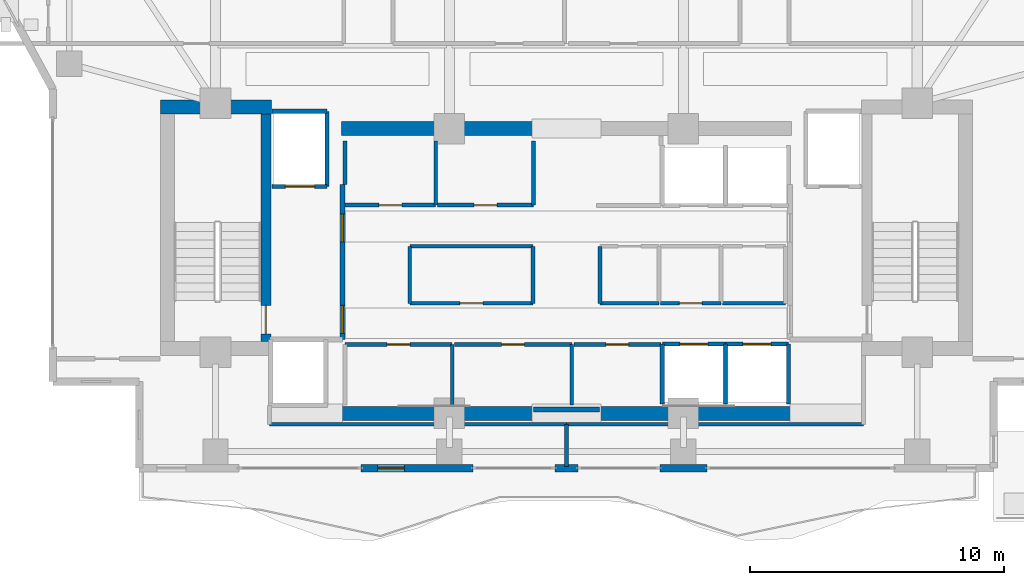
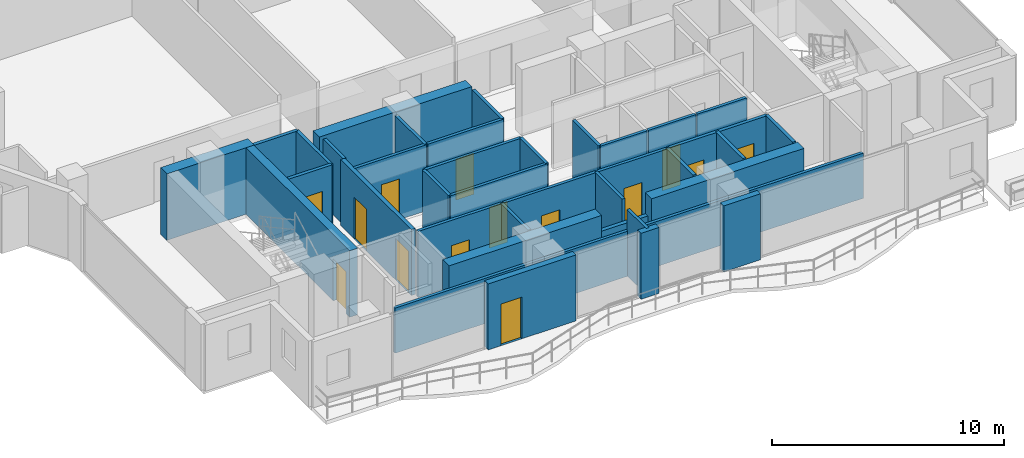
# One storey, part 19 of 26: 39 walls, 14 doors, 14 openings.
"""IFC4 building model written with IfcOpenShell, lengths in metres."""

from ifc_helpers import new_model, si_unit, direction, frame, frame_2d, origin, place, context, subcontext, project, spatial, rectangle, extrude, material, layer, layer_set, type_object, element, fill, save


model = new_model("IFC4")

# Units and contexts
model_context = context("Model", 3, precision=1e-05, world=origin(), true_north=direction((0.0, 1.0)))
body_context = subcontext(model_context, "Body", "Model", "MODEL_VIEW")
ifc_project = project(units=[si_unit("LENGTHUNIT", "METRE"), si_unit("AREAUNIT", "SQUARE_METRE"), si_unit("VOLUMEUNIT", "CUBIC_METRE"), si_unit("PLANEANGLEUNIT", "RADIAN"), si_unit("MASSUNIT", "GRAM", prefix="KILO")], contexts=[model_context])

# Site, building, storey
site_placement = place(None, origin())
site = spatial("IfcSite", under=ifc_project, at=site_placement, CompositionType="ELEMENT")
building_placement = place(site_placement, origin())
building = spatial("IfcBuilding", under=site, at=building_placement, Name="Zuhayl Quay Hotel", CompositionType="ELEMENT")
storey_placement = place(building_placement, frame((0.0, 0.0, 254.449951171875)))
storey = spatial("IfcBuildingStorey", under=building, at=storey_placement, Name="L64", CompositionType="ELEMENT", Elevation=254.449951171875)

# Walls
ifc_material_1 = material(Name="Concrete C50/60", Category="concrete")
ifc_layer_1 = layer(ifc_material_1, 0.550048828125, Name="Concrete C50/60", Category="concrete")
ifc_layer_set_1 = layer_set([ifc_layer_1], Name="Concrete C50/60")
wall_type_1 = type_object("IfcWallType", Name="WL_CORE_550", PredefinedType="SHEAR", material=ifc_layer_set_1)
wall_1_placement = place(storey_placement, frame((-15.9599609375, 14.205078125, 0.0), z_axis=(0.0, 0.0, 1.0), x_axis=(1.0, 0.0, 0.0)))
element("IfcWall", 1, at=wall_1_placement, inside=storey, type_object=wall_type_1, Name="L64 Core Shear Wall CW_NW", PredefinedType="SHEAR", context=body_context, shape_type="SweptSolid", body=[
    extrude(rectangle(XDim=4.35986328125, YDim=0.550048828125, at=frame_2d((2.179931640625, 0.0))), origin(), (0.0, 0.0, 1.0), 3.510009765625),
])
for number, where, z_axis, x_axis, name in (
    (2, (-8.85009765625, 2.14990234375, 0.0), (0.0, 0.0, 1.0), (1.0, 0.0, 0.0), "L64 Core Shear Wall CW_SC_W"),
    (3, (1.25, 2.14990234375, 0.0), (0.0, 0.0, 1.0), (1.0, 0.0, 0.0), "L64 Core Shear Wall CW_SC_E"),
    (4, (-8.85009765625, 13.35009765625, 0.0), (0.0, 0.0, 1.0), (1.0, 0.0, 0.0), "L64 Core Shear Wall CW_NC_W"),
):
    element("IfcWall", number, at=place(storey_placement, frame(where, z_axis=z_axis, x_axis=x_axis)), inside=storey, type_object=wall_type_1, Name=name, PredefinedType="SHEAR", context=body_context, shape_type="SweptSolid", body=[
        extrude(rectangle(XDim=7.60009765625, YDim=0.550048828125, at=frame_2d((3.800048828125, 0.0))), origin(), (0.0, 0.0, 1.0), 3.47998046875),
    ])
ifc_material_2 = material(Name="Precast concrete C45/55", Category="concrete")
ifc_layer_2 = layer(ifc_material_2, 0.300048828125, Name="Precast concrete C45/55", Category="concrete")
ifc_layer_set_2 = layer_set([ifc_layer_2], Name="Precast concrete C45/55")
wall_type_2 = type_object("IfcWallType", Name="WL_EXT_300", PredefinedType="STANDARD", material=ifc_layer_set_2)
wall_2_placement = place(storey_placement, frame((5.52001953125, 0.0, 0.0), z_axis=(0.0, 0.0, 1.0), x_axis=(-1.0, 0.0, 0.0)))
element("IfcWall", 5, at=wall_2_placement, inside=storey, type_object=wall_type_2, Name="L64 Exterior Precast Wall ENV_L64_S_EW2", PredefinedType="STANDARD", context=body_context, shape_type="SweptSolid", body=[
    extrude(rectangle(XDim=1.840087890625, YDim=0.300048828125, at=frame_2d((0.919921875, 0.0))), origin(), (0.0, 0.0, 1.0), 3.47998046875),
])
wall_3_placement = place(storey_placement, frame((0.449951171875, 0.0, 0.0), z_axis=(0.0, 0.0, 1.0), x_axis=(-1.0, 0.0, 0.0)))
element("IfcWall", 6, at=wall_3_placement, inside=storey, type_object=wall_type_2, Name="L64 Exterior Precast Wall ENV_L64_S_EW3", PredefinedType="STANDARD", context=body_context, shape_type="SweptSolid", body=[
    extrude(rectangle(XDim=0.89990234375, YDim=0.300048828125, at=frame_2d((0.449951171875, 0.0))), origin(), (0.0, 0.0, 1.0), 3.47998046875),
])

# Wall, opening, door
wall_4_placement = place(storey_placement, frame((-3.679931640625, 0.0, 0.0), z_axis=(0.0, 0.0, 1.0), x_axis=(-1.0, 0.0, 0.0)))
wall_4 = element("IfcWall", 7, at=wall_4_placement, inside=storey, type_object=wall_type_2, Name="L64 Exterior Precast Wall ENV_L64_S_EW4", PredefinedType="STANDARD", context=body_context, shape_type="SweptSolid", body=[
    extrude(rectangle(XDim=4.39501953125, YDim=0.300048828125, at=frame_2d((2.197509765625, 0.0))), origin(), (0.0, 0.0, 1.0), 3.47998046875),
])
opening_1_placement = place(wall_4_placement, frame((2.695068359375, 0.0, 0.0)))
opening_1 = element("IfcOpeningElement", 8, at=opening_1_placement, cuts=wall_4, Name="Opening DG1", PredefinedType="OPENING", context=body_context, shape_type="SweptSolid", body=[
    extrude(rectangle(XDim=1.050048828125, YDim=2.199951171875, at=frame_2d((0.52490234375, 1.10009765625))), frame((0.0, 0.159912109375, 0.0), z_axis=(0.0, -1.0, 0.0), x_axis=(1.0, 0.0, 0.0)), (0.0, 0.0, 1.0), 0.320068359375),
])
ifc_material_3 = material(Name="Anodised Aluminium and Dark Solar Glass", Category="aluminium")
door_type_1 = type_object("IfcDoorType", Name="DR_EXT_TERR_1050", OperationType="NOTDEFINED", PredefinedType="DOOR", material=ifc_material_3)
door_1_placement = place(opening_1_placement, origin())
door_1 = element("IfcDoor", 9, at=door_1_placement, inside=storey, type_object=door_type_1, Name="L64 South Rippling Balcony Door", OperationType="SINGLE_SWING_RIGHT", OverallHeight=2.199951171875, OverallWidth=1.050048828125, PredefinedType="DOOR", context=body_context, shape_type="SweptSolid", body=[
    extrude(rectangle(XDim=1.050048828125, YDim=2.199951171875, at=frame_2d((0.52490234375, 1.10009765625))), frame((0.0, 0.02490234375, 0.0), z_axis=(0.0, -1.0, 0.0), x_axis=(1.0, 0.0, 0.0)), (0.0, 0.0, 1.0), 0.050048828125),
])
fill(opening_1, door_1)

ifc_material_4 = material(Name="Acoustic Gypsum Partition STC-58")
ifc_layer_3 = layer(ifc_material_4, 0.14990234375, Name="Acoustic Gypsum Partition STC-58")
ifc_layer_set_3 = layer_set([ifc_layer_3], Name="Acoustic Gypsum Partition STC-58")
wall_type_3 = type_object("IfcWallType", Name="WL_PART_150", PredefinedType="PARTITIONING", material=ifc_layer_set_3)
wall_5_placement = place(storey_placement, frame((-8.7099609375, 4.860107421875, 0.0), z_axis=(0.0, 0.0, 1.0), x_axis=(1.0, 0.0, 0.0)))
wall_5 = element("IfcWall", 10, at=wall_5_placement, inside=storey, type_object=wall_type_3, Name="L64 Partition IW_L64_FMP_S1_N", PredefinedType="PARTITIONING", context=body_context, shape_type="SweptSolid", body=[
    extrude(rectangle(XDim=4.219970703125, YDim=0.14990234375, at=frame_2d((2.10986328125, 0.0))), origin(), (0.0, 0.0, 1.0), 3.47998046875),
])
opening_2_placement = place(wall_5_placement, frame((1.659912109375, 0.0, 0.0)))
opening_2 = element("IfcOpeningElement", 11, at=opening_2_placement, cuts=wall_5, Name="Opening D06", PredefinedType="OPENING", context=body_context, shape_type="SweptSolid", body=[
    extrude(rectangle(XDim=0.89990234375, YDim=2.14990234375, at=frame_2d((0.449951171875, 1.074951171875))), frame((0.0, 0.0849609375, 0.0), z_axis=(0.0, -1.0, 0.0), x_axis=(1.0, 0.0, 0.0)), (0.0, 0.0, 1.0), 0.169921875),
])
ifc_material_5 = material(Name="Steel ASTM A992 Grade 50", Category="steel")
door_type_2 = type_object("IfcDoorType", Name="DR_INT_900", OperationType="NOTDEFINED", PredefinedType="DOOR", material=ifc_material_5)
door_2_placement = place(opening_2_placement, origin())
door_2 = element("IfcDoor", 12, at=door_2_placement, inside=storey, type_object=door_type_2, Name="L64 Silverware Pantry Door", OperationType="SINGLE_SWING_LEFT", OverallHeight=2.14990234375, OverallWidth=0.89990234375, PredefinedType="DOOR", context=body_context, shape_type="SweptSolid", body=[
    extrude(rectangle(XDim=0.89990234375, YDim=2.14990234375, at=frame_2d((0.449951171875, 1.074951171875))), frame((0.0, 0.02490234375, 0.0), z_axis=(0.0, -1.0, 0.0), x_axis=(1.0, 0.0, 0.0)), (0.0, 0.0, 1.0), 0.050048828125),
])
fill(opening_2, door_2)

wall_6_placement = place(storey_placement, frame((-4.409912109375, 4.860107421875, 0.0), z_axis=(0.0, 0.0, 1.0), x_axis=(1.0, 0.0, 0.0)))
wall_6 = element("IfcWall", 13, at=wall_6_placement, inside=storey, type_object=wall_type_3, Name="L64 Partition IW_L64_FMP_S2_N", PredefinedType="PARTITIONING", context=body_context, shape_type="SweptSolid", body=[
    extrude(rectangle(XDim=4.619873046875, YDim=0.14990234375, at=frame_2d((2.31005859375, 0.0))), origin(), (0.0, 0.0, 1.0), 3.47998046875),
])
opening_3_placement = place(wall_6_placement, frame((1.860107421875, 0.0, 0.0)))
opening_3 = element("IfcOpeningElement", 14, at=opening_3_placement, cuts=wall_6, Name="Opening D06", PredefinedType="OPENING", context=body_context, shape_type="SweptSolid", body=[
    extrude(rectangle(XDim=0.89990234375, YDim=2.14990234375, at=frame_2d((0.449951171875, 1.074951171875))), frame((0.0, 0.0849609375, 0.0), z_axis=(0.0, -1.0, 0.0), x_axis=(1.0, 0.0, 0.0)), (0.0, 0.0, 1.0), 0.169921875),
])
door_3_placement = place(opening_3_placement, origin())
door_3 = element("IfcDoor", 15, at=door_3_placement, inside=storey, type_object=door_type_2, Name="L64 Crystal Store Door", OperationType="SINGLE_SWING_RIGHT", OverallHeight=2.14990234375, OverallWidth=0.89990234375, PredefinedType="DOOR", context=body_context, shape_type="SweptSolid", body=[
    extrude(rectangle(XDim=0.89990234375, YDim=2.14990234375, at=frame_2d((0.449951171875, 1.074951171875))), frame((0.0, 0.02490234375, 0.0), z_axis=(0.0, -1.0, 0.0), x_axis=(1.0, 0.0, 0.0)), (0.0, 0.0, 1.0), 0.050048828125),
])
fill(opening_3, door_3)

wall_7_placement = place(storey_placement, frame((0.2900390625, 4.860107421875, 0.0), z_axis=(0.0, 0.0, 1.0), x_axis=(1.0, 0.0, 0.0)))
wall_7 = element("IfcWall", 16, at=wall_7_placement, inside=storey, type_object=wall_type_3, Name="L64 Partition IW_L64_FMP_S3_N", PredefinedType="PARTITIONING", context=body_context, shape_type="SweptSolid", body=[
    extrude(rectangle(XDim=3.419921875, YDim=0.14990234375, at=frame_2d((1.7099609375, 0.0))), origin(), (0.0, 0.0, 1.0), 3.47998046875),
])
opening_4_placement = place(wall_7_placement, frame((1.260009765625, 0.0, 0.0)))
opening_4 = element("IfcOpeningElement", 17, at=opening_4_placement, cuts=wall_7, Name="Opening D06", PredefinedType="OPENING", context=body_context, shape_type="SweptSolid", body=[
    extrude(rectangle(XDim=0.89990234375, YDim=2.14990234375, at=frame_2d((0.449951171875, 1.074951171875))), frame((0.0, 0.0849609375, 0.0), z_axis=(0.0, -1.0, 0.0), x_axis=(1.0, 0.0, 0.0)), (0.0, 0.0, 1.0), 0.169921875),
])
door_4_placement = place(opening_4_placement, origin())
door_4 = element("IfcDoor", 18, at=door_4_placement, inside=storey, type_object=door_type_2, Name="L64 China Linen Store Door", OperationType="SINGLE_SWING_LEFT", OverallHeight=2.14990234375, OverallWidth=0.89990234375, PredefinedType="DOOR", context=body_context, shape_type="SweptSolid", body=[
    extrude(rectangle(XDim=0.89990234375, YDim=2.14990234375, at=frame_2d((0.449951171875, 1.074951171875))), frame((0.0, 0.02490234375, 0.0), z_axis=(0.0, -1.0, 0.0), x_axis=(1.0, 0.0, 0.0)), (0.0, 0.0, 1.0), 0.050048828125),
])
fill(opening_4, door_4)

wall_8_placement = place(storey_placement, frame((-8.7099609375, 10.340087890625, 0.0), z_axis=(0.0, 0.0, 1.0), x_axis=(1.0, 0.0, 0.0)))
wall_8 = element("IfcWall", 19, at=wall_8_placement, inside=storey, type_object=wall_type_3, Name="L64 Partition IW_L64_FMP_N1_S", PredefinedType="PARTITIONING", context=body_context, shape_type="SweptSolid", body=[
    extrude(rectangle(XDim=3.570068359375, YDim=0.14990234375, at=frame_2d((1.78515625, 0.0))), origin(), (0.0, 0.0, 1.0), 3.47998046875),
])
opening_5_placement = place(wall_8_placement, frame((1.3349609375, 0.0, 0.0)))
opening_5 = element("IfcOpeningElement", 20, at=opening_5_placement, cuts=wall_8, Name="Opening D06", PredefinedType="OPENING", context=body_context, shape_type="SweptSolid", body=[
    extrude(rectangle(XDim=0.89990234375, YDim=2.14990234375, at=frame_2d((0.449951171875, 1.074951171875))), frame((0.0, 0.0849609375, 0.0), z_axis=(0.0, -1.0, 0.0), x_axis=(1.0, 0.0, 0.0)), (0.0, 0.0, 1.0), 0.169921875),
])
door_5_placement = place(opening_5_placement, origin())
door_5 = element("IfcDoor", 21, at=door_5_placement, inside=storey, type_object=door_type_2, Name="L64 West Valet Bay Door", OperationType="SINGLE_SWING_RIGHT", OverallHeight=2.14990234375, OverallWidth=0.89990234375, PredefinedType="DOOR", context=body_context, shape_type="SweptSolid", body=[
    extrude(rectangle(XDim=0.89990234375, YDim=2.14990234375, at=frame_2d((0.449951171875, 1.074951171875))), frame((0.0, 0.02490234375, 0.0), z_axis=(0.0, -1.0, 0.0), x_axis=(1.0, 0.0, 0.0)), (0.0, 0.0, 1.0), 0.050048828125),
])
fill(opening_5, door_5)

wall_9_placement = place(storey_placement, frame((-5.06005859375, 10.340087890625, 0.0), z_axis=(0.0, 0.0, 1.0), x_axis=(1.0, 0.0, 0.0)))
wall_9 = element("IfcWall", 22, at=wall_9_placement, inside=storey, type_object=wall_type_3, Name="L64 Partition IW_L64_FMP_N2_S", PredefinedType="PARTITIONING", context=body_context, shape_type="SweptSolid", body=[
    extrude(rectangle(XDim=3.77001953125, YDim=0.14990234375, at=frame_2d((1.885009765625, 0.0))), origin(), (0.0, 0.0, 1.0), 3.47998046875),
])
opening_6_placement = place(wall_9_placement, frame((1.43505859375, 0.0, 0.0)))
opening_6 = element("IfcOpeningElement", 23, at=opening_6_placement, cuts=wall_9, Name="Opening D06", PredefinedType="OPENING", context=body_context, shape_type="SweptSolid", body=[
    extrude(rectangle(XDim=0.89990234375, YDim=2.14990234375, at=frame_2d((0.449951171875, 1.074951171875))), frame((0.0, 0.0849609375, 0.0), z_axis=(0.0, -1.0, 0.0), x_axis=(1.0, 0.0, 0.0)), (0.0, 0.0, 1.0), 0.169921875),
])
door_6_placement = place(opening_6_placement, origin())
door_6 = element("IfcDoor", 24, at=door_6_placement, inside=storey, type_object=door_type_2, Name="L64 High-Zone Linen Bay Door", OperationType="SINGLE_SWING_LEFT", OverallHeight=2.14990234375, OverallWidth=0.89990234375, PredefinedType="DOOR", context=body_context, shape_type="SweptSolid", body=[
    extrude(rectangle(XDim=0.89990234375, YDim=2.14990234375, at=frame_2d((0.449951171875, 1.074951171875))), frame((0.0, 0.02490234375, 0.0), z_axis=(0.0, -1.0, 0.0), x_axis=(1.0, 0.0, 0.0)), (0.0, 0.0, 1.0), 0.050048828125),
])
fill(opening_6, door_6)

wall_10_placement = place(storey_placement, frame((-6.159912109375, 6.47998046875, 0.0), z_axis=(0.0, 0.0, 1.0), x_axis=(1.0, 0.0, 0.0)))
wall_10 = element("IfcWall", 25, at=wall_10_placement, inside=storey, type_object=wall_type_3, Name="L64 Partition IW_L64_CORE_SV_S", PredefinedType="PARTITIONING", context=body_context, shape_type="SweptSolid", body=[
    extrude(rectangle(XDim=4.83984375, YDim=0.14990234375, at=frame_2d((2.419921875, 0.0))), origin(), (0.0, 0.0, 1.0), 3.47998046875),
])
opening_7_placement = place(wall_10_placement, frame((1.969970703125, 0.0, 0.0)))
opening_7 = element("IfcOpeningElement", 26, at=opening_7_placement, cuts=wall_10, Name="Opening D06", PredefinedType="OPENING", context=body_context, shape_type="SweptSolid", body=[
    extrude(rectangle(XDim=0.89990234375, YDim=2.14990234375, at=frame_2d((0.449951171875, 1.074951171875))), frame((0.0, 0.0849609375, 0.0), z_axis=(0.0, -1.0, 0.0), x_axis=(1.0, 0.0, 0.0)), (0.0, 0.0, 1.0), 0.169921875),
])
door_7_placement = place(opening_7_placement, origin())
door_7 = element("IfcDoor", 27, at=door_7_placement, inside=storey, type_object=door_type_2, Name="L64 Core Ice and Linen Store Door", OperationType="SINGLE_SWING_RIGHT", OverallHeight=2.14990234375, OverallWidth=0.89990234375, PredefinedType="DOOR", context=body_context, shape_type="SweptSolid", body=[
    extrude(rectangle(XDim=0.89990234375, YDim=2.14990234375, at=frame_2d((0.449951171875, 1.074951171875))), frame((0.0, 0.02490234375, 0.0), z_axis=(0.0, -1.0, 0.0), x_axis=(1.0, 0.0, 0.0)), (0.0, 0.0, 1.0), 0.050048828125),
])
fill(opening_7, door_7)

wall_11_placement = place(storey_placement, frame((3.699951171875, 6.47998046875, 0.0), z_axis=(0.0, 0.0, 1.0), x_axis=(1.0, 0.0, 0.0)))
wall_11 = element("IfcWall", 28, at=wall_11_placement, inside=storey, type_object=wall_type_3, Name="L64 Partition IW_L64_CORE_E2_S", PredefinedType="PARTITIONING", context=body_context, shape_type="SweptSolid", body=[
    extrude(rectangle(XDim=2.380126953125, YDim=0.14990234375, at=frame_2d((1.18994140625, 0.0))), origin(), (0.0, 0.0, 1.0), 3.47998046875),
])
opening_8_placement = place(wall_11_placement, frame((0.739990234375, 0.0, 0.0)))
opening_8 = element("IfcOpeningElement", 29, at=opening_8_placement, cuts=wall_11, Name="Opening D06", PredefinedType="OPENING", context=body_context, shape_type="SweptSolid", body=[
    extrude(rectangle(XDim=0.89990234375, YDim=2.14990234375, at=frame_2d((0.449951171875, 1.074951171875))), frame((0.0, 0.0849609375, 0.0), z_axis=(0.0, -1.0, 0.0), x_axis=(1.0, 0.0, 0.0)), (0.0, 0.0, 1.0), 0.169921875),
])
door_8_placement = place(opening_8_placement, origin())
door_8 = element("IfcDoor", 30, at=door_8_placement, inside=storey, type_object=door_type_2, Name="L64 Data Closet Door", OperationType="SINGLE_SWING_RIGHT", OverallHeight=2.14990234375, OverallWidth=0.89990234375, PredefinedType="DOOR", context=body_context, shape_type="SweptSolid", body=[
    extrude(rectangle(XDim=0.89990234375, YDim=2.14990234375, at=frame_2d((0.449951171875, 1.074951171875))), frame((0.0, 0.02490234375, 0.0), z_axis=(0.0, -1.0, 0.0), x_axis=(1.0, 0.0, 0.0)), (0.0, 0.0, 1.0), 0.050048828125),
])
fill(opening_8, door_8)

# Walls
for number, where, z_axis, x_axis, name in (
    (31, (-4.489990234375, 2.489990234375, 0.0), (0.0, 0.0, 1.0), (0.0, 1.0, 0.0), "L64 Partition IW_L64_FMP_S1_E"),
    (32, (0.2099609375, 2.489990234375, 0.0), (0.0, 0.0, 1.0), (0.0, 1.0, 0.0), "L64 Partition IW_L64_FMP_S2_E"),
):
    element("IfcWall", number, at=place(storey_placement, frame(where, z_axis=z_axis, x_axis=x_axis)), inside=storey, type_object=wall_type_3, Name=name, PredefinedType="PARTITIONING", context=body_context, shape_type="SweptSolid", body=[
        extrude(rectangle(XDim=2.3701171875, YDim=0.14990234375, at=frame_2d((1.18505859375, 0.0))), origin(), (0.0, 0.0, 1.0), 3.47998046875),
    ])
wall_12_placement = place(storey_placement, frame((-8.7099609375, 11.14990234375, 0.0), z_axis=(0.0, 0.0, 1.0), x_axis=(0.0, 1.0, 0.0)))
element("IfcWall", 33, at=wall_12_placement, inside=storey, type_object=wall_type_3, Name="L64 Partition IW_L64_FMP_N1_W", PredefinedType="PARTITIONING", context=body_context, shape_type="SweptSolid", body=[
    extrude(rectangle(XDim=1.710205078125, YDim=0.14990234375, at=frame_2d((0.85498046875, 0.0))), origin(), (0.0, 0.0, 1.0), 3.47998046875),
])
for number, where, z_axis, x_axis, name in (
    (34, (-5.139892578125, 10.340087890625, 0.0), (0.0, 0.0, 1.0), (0.0, 1.0, 0.0), "L64 Partition IW_L64_FMP_N1_E"),
    (35, (-1.2900390625, 10.340087890625, 0.0), (0.0, 0.0, 1.0), (0.0, 1.0, 0.0), "L64 Partition IW_L64_FMP_N2_E"),
):
    element("IfcWall", number, at=place(storey_placement, frame(where, z_axis=z_axis, x_axis=x_axis)), inside=storey, type_object=wall_type_3, Name=name, PredefinedType="PARTITIONING", context=body_context, shape_type="SweptSolid", body=[
        extrude(rectangle(XDim=2.52001953125, YDim=0.14990234375, at=frame_2d((1.260009765625, 0.0))), origin(), (0.0, 0.0, 1.0), 3.47998046875),
    ])
wall_13_placement = place(storey_placement, frame((-6.159912109375, 8.719970703125, 0.0), z_axis=(0.0, 0.0, 1.0), x_axis=(1.0, 0.0, 0.0)))
element("IfcWall", 36, at=wall_13_placement, inside=storey, type_object=wall_type_3, Name="L64 Partition IW_L64_CORE_SV_N", PredefinedType="PARTITIONING", context=body_context, shape_type="SweptSolid", body=[
    extrude(rectangle(XDim=4.83984375, YDim=0.14990234375, at=frame_2d((2.419921875, 0.0))), origin(), (0.0, 0.0, 1.0), 3.47998046875),
])
for number, where, z_axis, x_axis, name in (
    (37, (-6.159912109375, 6.47998046875, 0.0), (0.0, 0.0, 1.0), (0.0, 1.0, 0.0), "L64 Partition IW_L64_CORE_SV_W"),
    (38, (-1.320068359375, 6.47998046875, 0.0), (0.0, 0.0, 1.0), (0.0, 1.0, 0.0), "L64 Partition IW_L64_CORE_SV_E"),
):
    element("IfcWall", number, at=place(storey_placement, frame(where, z_axis=z_axis, x_axis=x_axis)), inside=storey, type_object=wall_type_3, Name=name, PredefinedType="PARTITIONING", context=body_context, shape_type="SweptSolid", body=[
        extrude(rectangle(XDim=2.239990234375, YDim=0.14990234375, at=frame_2d((1.1201171875, 0.0))), origin(), (0.0, 0.0, 1.0), 3.47998046875),
    ])
wall_14_placement = place(storey_placement, frame((1.320068359375, 6.47998046875, 0.0), z_axis=(0.0, 0.0, 1.0), x_axis=(1.0, 0.0, 0.0)))
element("IfcWall", 39, at=wall_14_placement, inside=storey, type_object=wall_type_3, Name="L64 Partition IW_L64_CORE_E1_S", PredefinedType="PARTITIONING", context=body_context, shape_type="SweptSolid", body=[
    extrude(rectangle(XDim=2.31982421875, YDim=0.14990234375, at=frame_2d((1.159912109375, 0.0))), origin(), (0.0, 0.0, 1.0), 3.47998046875),
])
wall_15_placement = place(storey_placement, frame((1.320068359375, 6.47998046875, 0.0), z_axis=(0.0, 0.0, 1.0), x_axis=(0.0, 1.0, 0.0)))
element("IfcWall", 40, at=wall_15_placement, inside=storey, type_object=wall_type_3, Name="L64 Partition IW_L64_CORE_E1_W", PredefinedType="PARTITIONING", context=body_context, shape_type="SweptSolid", body=[
    extrude(rectangle(XDim=2.239990234375, YDim=0.14990234375, at=frame_2d((1.1201171875, 0.0))), origin(), (0.0, 0.0, 1.0), 3.47998046875),
])
wall_16_placement = place(storey_placement, frame((6.139892578125, 6.47998046875, 0.0), z_axis=(0.0, 0.0, 1.0), x_axis=(1.0, 0.0, 0.0)))
element("IfcWall", 41, at=wall_16_placement, inside=storey, type_object=wall_type_3, Name="L64 Partition IW_L64_CORE_E3_S", PredefinedType="PARTITIONING", context=body_context, shape_type="SweptSolid", body=[
    extrude(rectangle(XDim=2.47021484375, YDim=0.14990234375, at=frame_2d((1.235107421875, 0.0))), origin(), (0.0, 0.0, 1.0), 3.47998046875),
])
for number, where, z_axis, x_axis, name in (
    (42, (-11.679931640625, 1.719970703125, 0.0), (0.0, 0.0, 1.0), (1.0, 0.0, 0.0), "L64 Partition IW_L64_Z4_SUN_SW_SN"),
    (43, (0.0, 1.719970703125, 0.0), (0.0, 0.0, 1.0), (1.0, 0.0, 0.0), "L64 Partition IW_L64_Z4_SUN_SE_SN"),
):
    element("IfcWall", number, at=place(storey_placement, frame(where, z_axis=z_axis, x_axis=x_axis)), inside=storey, type_object=wall_type_3, Name=name, PredefinedType="PARTITIONING", context=body_context, shape_type="SweptSolid", body=[
        extrude(rectangle(XDim=11.679931640625, YDim=0.14990234375, at=frame_2d((5.83984375, 0.0))), origin(), (0.0, 0.0, 1.0), 2.380126953125),
    ])
wall_17_placement = place(storey_placement, frame((0.0, 0.06005859375, 0.0), z_axis=(0.0, 0.0, 1.0), x_axis=(0.0, 1.0, 0.0)))
element("IfcWall", 44, at=wall_17_placement, inside=storey, type_object=wall_type_3, Name="L64 Partition IW_L64_Z4_SUN_MID", PredefinedType="PARTITIONING", context=body_context, shape_type="SweptSolid", body=[
    extrude(rectangle(XDim=1.659912109375, YDim=0.14990234375, at=frame_2d((0.830078125, 0.0))), origin(), (0.0, 0.0, 1.0), 3.47998046875),
])

# Wall, opening, door
ifc_material_6 = material(Name="Gypsum Fireboard Assembly EI-90")
ifc_layer_4 = layer(ifc_material_6, 0.1650390625, Name="Gypsum Fireboard Assembly EI-90")
ifc_layer_set_4 = layer_set([ifc_layer_4], Name="Gypsum Fireboard Assembly EI-90")
wall_type_4 = type_object("IfcWallType", Name="WL_PART_SHAFT_160", PredefinedType="PARTITIONING", material=ifc_layer_set_4)
wall_18_placement = place(storey_placement, frame((-11.580078125, 11.070068359375, 0.0), z_axis=(0.0, 0.0, 1.0), x_axis=(1.0, 0.0, 0.0)))
wall_18 = element("IfcWall", 45, at=wall_18_placement, inside=storey, type_object=wall_type_4, Name="L64 Partition IW_L64_SH_FL1_F", PredefinedType="PARTITIONING", context=body_context, shape_type="SweptSolid", body=[
    extrude(rectangle(XDim=2.16015625, YDim=0.1650390625, at=frame_2d((1.080078125, 0.0))), origin(), (0.0, 0.0, 1.0), 3.47998046875),
])
opening_9_placement = place(wall_18_placement, frame((0.530029296875, 0.0, 0.0)))
opening_9 = element("IfcOpeningElement", 46, at=opening_9_placement, cuts=wall_18, Name="Opening LD2", PredefinedType="OPENING", context=body_context, shape_type="SweptSolid", body=[
    extrude(rectangle(XDim=1.14990234375, YDim=2.25, at=frame_2d((0.574951171875, 1.125))), frame((0.0, 0.092529296875, 0.0), z_axis=(0.0, -1.0, 0.0), x_axis=(1.0, 0.0, 0.0)), (0.0, 0.0, 1.0), 0.18505859375),
])
ifc_material_7 = material(Name="Brushed Stainless Steel", Category="steel")
door_type_3 = type_object("IfcDoorType", Name="DR_LIFT_FF_1100", OperationType="SLIDING_TO_LEFT", PredefinedType="DOOR", material=ifc_material_7)
door_9_placement = place(opening_9_placement, origin())
door_9 = element("IfcDoor", 47, at=door_9_placement, inside=storey, type_object=door_type_3, Name="L64 Lift FL1 Sliding Landing Door", OperationType="SLIDING_TO_LEFT", OverallHeight=2.25, OverallWidth=1.14990234375, PredefinedType="DOOR", context=body_context, shape_type="SweptSolid", body=[
    extrude(rectangle(XDim=1.14990234375, YDim=2.25, at=frame_2d((0.574951171875, 1.125))), frame((0.0, 0.02490234375, 0.0), z_axis=(0.0, -1.0, 0.0), x_axis=(1.0, 0.0, 0.0)), (0.0, 0.0, 1.0), 0.050048828125),
])
fill(opening_9, door_9)

wall_19_placement = place(storey_placement, frame((3.77001953125, 4.8798828125, 0.0), z_axis=(0.0, 0.0, 1.0), x_axis=(1.0, 0.0, 0.0)))
wall_19 = element("IfcWall", 48, at=wall_19_placement, inside=storey, type_object=wall_type_4, Name="L64 Partition IW_L64_SH_HP1_F", PredefinedType="PARTITIONING", context=body_context, shape_type="SweptSolid", body=[
    extrude(rectangle(XDim=2.47998046875, YDim=0.1650390625, at=frame_2d((1.239990234375, 0.0))), origin(), (0.0, 0.0, 1.0), 3.47998046875),
])
opening_10_placement = place(wall_19_placement, frame((0.68994140625, 0.0, 0.0)))
opening_10 = element("IfcOpeningElement", 49, at=opening_10_placement, cuts=wall_19, Name="Opening LD1", PredefinedType="OPENING", context=body_context, shape_type="SweptSolid", body=[
    extrude(rectangle(XDim=1.10009765625, YDim=2.25, at=frame_2d((0.550048828125, 1.125))), frame((0.0, 0.092529296875, 0.0), z_axis=(0.0, -1.0, 0.0), x_axis=(1.0, 0.0, 0.0)), (0.0, 0.0, 1.0), 0.18505859375),
])
door_type_4 = type_object("IfcDoorType", Name="DR_LIFT_PASS_1100", OperationType="SLIDING_TO_LEFT", PredefinedType="DOOR", material=ifc_material_7)
door_10_placement = place(opening_10_placement, origin())
door_10 = element("IfcDoor", 50, at=door_10_placement, inside=storey, type_object=door_type_4, Name="L64 Lift HP1 Sliding Landing Door", OperationType="SLIDING_TO_LEFT", OverallHeight=2.25, OverallWidth=1.10009765625, PredefinedType="DOOR", context=body_context, shape_type="SweptSolid", body=[
    extrude(rectangle(XDim=1.10009765625, YDim=2.25, at=frame_2d((0.550048828125, 1.125))), frame((0.0, 0.02490234375, 0.0), z_axis=(0.0, -1.0, 0.0), x_axis=(1.0, 0.0, 0.0)), (0.0, 0.0, 1.0), 0.050048828125),
])
fill(opening_10, door_10)

wall_20_placement = place(storey_placement, frame((6.25, 4.8798828125, 0.0), z_axis=(0.0, 0.0, 1.0), x_axis=(1.0, 0.0, 0.0)))
wall_20 = element("IfcWall", 51, at=wall_20_placement, inside=storey, type_object=wall_type_4, Name="L64 Partition IW_L64_SH_HP2_F", PredefinedType="PARTITIONING", context=body_context, shape_type="SweptSolid", body=[
    extrude(rectangle(XDim=2.47998046875, YDim=0.1650390625, at=frame_2d((1.239990234375, 0.0))), origin(), (0.0, 0.0, 1.0), 3.47998046875),
])
opening_11_placement = place(wall_20_placement, frame((0.68994140625, 0.0, 0.0)))
opening_11 = element("IfcOpeningElement", 52, at=opening_11_placement, cuts=wall_20, Name="Opening LD1", PredefinedType="OPENING", context=body_context, shape_type="SweptSolid", body=[
    extrude(rectangle(XDim=1.10009765625, YDim=2.25, at=frame_2d((0.550048828125, 1.125))), frame((0.0, 0.092529296875, 0.0), z_axis=(0.0, -1.0, 0.0), x_axis=(1.0, 0.0, 0.0)), (0.0, 0.0, 1.0), 0.18505859375),
])
door_11_placement = place(opening_11_placement, origin())
door_11 = element("IfcDoor", 53, at=door_11_placement, inside=storey, type_object=door_type_4, Name="L64 Lift HP2 Sliding Landing Door", OperationType="SLIDING_TO_LEFT", OverallHeight=2.25, OverallWidth=1.10009765625, PredefinedType="DOOR", context=body_context, shape_type="SweptSolid", body=[
    extrude(rectangle(XDim=1.10009765625, YDim=2.25, at=frame_2d((0.550048828125, 1.125))), frame((0.0, 0.02490234375, 0.0), z_axis=(0.0, -1.0, 0.0), x_axis=(1.0, 0.0, 0.0)), (0.0, 0.0, 1.0), 0.050048828125),
])
fill(opening_11, door_11)

# Walls
wall_21_placement = place(storey_placement, frame((-9.419921875, 11.070068359375, 0.0), z_axis=(0.0, 0.0, 1.0), x_axis=(0.0, 1.0, 0.0)))
element("IfcWall", 54, at=wall_21_placement, inside=storey, type_object=wall_type_4, Name="L64 Partition IW_L64_SH_FL1_E", PredefinedType="PARTITIONING", context=body_context, shape_type="SweptSolid", body=[
    extrude(rectangle(XDim=2.9599609375, YDim=0.1650390625, at=frame_2d((1.47998046875, 0.0))), origin(), (0.0, 0.0, 1.0), 3.47998046875),
])
wall_22_placement = place(storey_placement, frame((-11.580078125, 14.030029296875, 0.0), z_axis=(0.0, 0.0, 1.0), x_axis=(1.0, 0.0, 0.0)))
element("IfcWall", 55, at=wall_22_placement, inside=storey, type_object=wall_type_4, Name="L64 Partition IW_L64_SH_FL1_B", PredefinedType="PARTITIONING", context=body_context, shape_type="SweptSolid", body=[
    extrude(rectangle(XDim=2.16015625, YDim=0.1650390625, at=frame_2d((1.080078125, 0.0))), origin(), (0.0, 0.0, 1.0), 3.47998046875),
])
for number, where, z_axis, x_axis, name in (
    (56, (3.77001953125, 2.52001953125, 0.0), (0.0, 0.0, 1.0), (0.0, 1.0, 0.0), "L64 Partition IW_L64_SH_HP1_W"),
    (57, (6.25, 2.52001953125, 0.0), (0.0, 0.0, 1.0), (0.0, 1.0, 0.0), "L64 Partition IW_L64_SH_HP1_E"),
    (58, (8.72998046875, 2.52001953125, 0.0), (0.0, 0.0, 1.0), (0.0, 1.0, 0.0), "L64 Partition IW_L64_SH_HP2_E"),
):
    element("IfcWall", number, at=place(storey_placement, frame(where, z_axis=z_axis, x_axis=x_axis)), inside=storey, type_object=wall_type_4, Name=name, PredefinedType="PARTITIONING", context=body_context, shape_type="SweptSolid", body=[
        extrude(rectangle(XDim=2.35986328125, YDim=0.1650390625, at=frame_2d((1.179931640625, 0.0))), origin(), (0.0, 0.0, 1.0), 3.47998046875),
    ])

# Wall, openings, doors
ifc_material_8 = material(Name="Gypsum Fireboard Assembly EI-120")
ifc_layer_5 = layer(ifc_material_8, 0.199951171875, Name="Gypsum Fireboard Assembly EI-120")
ifc_layer_set_5 = layer_set([ifc_layer_5], Name="Gypsum Fireboard Assembly EI-120")
wall_type_5 = type_object("IfcWallType", Name="WL_PART_SHAFT_200", PredefinedType="PARTITIONING", material=ifc_layer_set_5)
wall_23_placement = place(storey_placement, frame((-8.800048828125, 5.050048828125, 0.0), z_axis=(0.0, 0.0, 1.0), x_axis=(0.0, 1.0, 0.0)))
wall_23 = element("IfcWall", 59, at=wall_23_placement, inside=storey, type_object=wall_type_5, Name="L64 Partition IW_L64_FSAE_W_E", PredefinedType="PARTITIONING", context=body_context, shape_type="SweptSolid", body=[
    extrude(rectangle(XDim=6.099853515625, YDim=0.199951171875, at=frame_2d((3.0498046875, 0.0))), origin(), (0.0, 0.0, 1.0), 3.47998046875),
])
opening_12_placement = place(wall_23_placement, frame((0.25, 0.0, 0.0)))
opening_12 = element("IfcOpeningElement", 60, at=opening_12_placement, cuts=wall_23, Name="Opening D02", PredefinedType="OPENING", context=body_context, shape_type="SweptSolid", body=[
    extrude(rectangle(XDim=1.10009765625, YDim=2.199951171875, at=frame_2d((0.550048828125, 1.10009765625))), frame((0.0, 0.10986328125, 0.0), z_axis=(0.0, -1.0, 0.0), x_axis=(1.0, 0.0, 0.0)), (0.0, 0.0, 1.0), 0.219970703125),
])
opening_13_placement = place(wall_23_placement, frame((3.85009765625, 0.0, 0.0)))
opening_13 = element("IfcOpeningElement", 61, at=opening_13_placement, cuts=wall_23, Name="Opening D02", PredefinedType="OPENING", context=body_context, shape_type="SweptSolid", body=[
    extrude(rectangle(XDim=1.10009765625, YDim=2.199951171875, at=frame_2d((0.550048828125, 1.10009765625))), frame((0.0, 0.10986328125, 0.0), z_axis=(0.0, -1.0, 0.0), x_axis=(1.0, 0.0, 0.0)), (0.0, 0.0, 1.0), 0.219970703125),
])
door_type_5 = type_object("IfcDoorType", Name="DR_FIRE_90_1100", OperationType="NOTDEFINED", PredefinedType="DOOR", material=ifc_material_5)
door_12_placement = place(opening_12_placement, origin())
door_12 = element("IfcDoor", 62, at=door_12_placement, inside=storey, type_object=door_type_5, Name="L64 FSAE Lobby West South Entry Door", OperationType="SINGLE_SWING_LEFT", OverallHeight=2.199951171875, OverallWidth=1.10009765625, PredefinedType="DOOR", context=body_context, shape_type="SweptSolid", body=[
    extrude(rectangle(XDim=1.10009765625, YDim=2.199951171875, at=frame_2d((0.550048828125, 1.10009765625))), frame((0.0, 0.02490234375, 0.0), z_axis=(0.0, -1.0, 0.0), x_axis=(1.0, 0.0, 0.0)), (0.0, 0.0, 1.0), 0.050048828125),
])
fill(opening_12, door_12)
door_13_placement = place(opening_13_placement, origin())
door_13 = element("IfcDoor", 63, at=door_13_placement, inside=storey, type_object=door_type_5, Name="L64 FSAE Lobby West North Entry Door", OperationType="SINGLE_SWING_RIGHT", OverallHeight=2.199951171875, OverallWidth=1.10009765625, PredefinedType="DOOR", context=body_context, shape_type="SweptSolid", body=[
    extrude(rectangle(XDim=1.10009765625, YDim=2.199951171875, at=frame_2d((0.550048828125, 1.10009765625))), frame((0.0, 0.02490234375, 0.0), z_axis=(0.0, -1.0, 0.0), x_axis=(1.0, 0.0, 0.0)), (0.0, 0.0, 1.0), 0.050048828125),
])
fill(opening_13, door_13)

# Wall
wall_24_placement = place(storey_placement, frame((-1.300048828125, 2.300048828125, 0.0), z_axis=(0.0, 0.0, 1.0), x_axis=(1.0, 0.0, 0.0)))
element("IfcWall", 64, at=wall_24_placement, inside=storey, type_object=wall_type_5, Name="L64 Partition IW_L64_CORE_SCM", PredefinedType="PARTITIONING", context=body_context, shape_type="SweptSolid", body=[
    extrude(rectangle(XDim=2.60009765625, YDim=0.199951171875, at=frame_2d((1.300048828125, 0.0))), origin(), (0.0, 0.0, 1.0), 2.380126953125),
])

# Wall, opening, door
ifc_material_9 = material(Name="Concrete C60/75", Category="concrete")
ifc_layer_6 = layer(ifc_material_9, 0.39990234375, Name="Concrete C60/75", Category="concrete")
ifc_layer_set_6 = layer_set([ifc_layer_6], Name="Concrete C60/75")
wall_type_6 = type_object("IfcWallType", Name="WL_STAIR_400", PredefinedType="SHEAR", material=ifc_layer_set_6)
wall_25_placement = place(storey_placement, frame((-11.820068359375, 4.969970703125, 0.0), z_axis=(0.0, 0.0, 1.0), x_axis=(0.0, 1.0, 0.0)))
wall_25 = element("IfcWall", 65, at=wall_25_placement, inside=storey, type_object=wall_type_6, Name="L64 Core Shear Wall SW_ST1", PredefinedType="SHEAR", context=body_context, shape_type="SweptSolid", body=[
    extrude(rectangle(XDim=8.9599609375, YDim=0.39990234375, at=frame_2d((4.47998046875, 0.0))), origin(), (0.0, 0.0, 1.0), 3.510009765625),
])
opening_14_placement = place(wall_25_placement, frame((0.31005859375, 0.0, 0.0)))
opening_14 = element("IfcOpeningElement", 66, at=opening_14_placement, cuts=wall_25, Name="Opening D01", PredefinedType="OPENING", context=body_context, shape_type="SweptSolid", body=[
    extrude(rectangle(XDim=1.1201171875, YDim=2.219970703125, at=frame_2d((0.56005859375, 1.10986328125))), frame((0.0, 0.2099609375, 0.0), z_axis=(0.0, -1.0, 0.0), x_axis=(1.0, 0.0, 0.0)), (0.0, 0.0, 1.0), 0.419921875),
])
door_type_6 = type_object("IfcDoorType", Name="DR_STAIR_90_1100", OperationType="NOTDEFINED", PredefinedType="DOOR", material=ifc_material_5)
door_14_placement = place(opening_14_placement, origin())
door_14 = element("IfcDoor", 67, at=door_14_placement, inside=storey, type_object=door_type_6, Name="L64 Smokeproof Exit Stair ST1 Door", OperationType="SINGLE_SWING_LEFT", OverallHeight=2.219970703125, OverallWidth=1.1201171875, PredefinedType="DOOR", context=body_context, shape_type="SweptSolid", body=[
    extrude(rectangle(XDim=1.1201171875, YDim=2.219970703125, at=frame_2d((0.56005859375, 1.10986328125))), frame((0.0, 0.02490234375, 0.0), z_axis=(0.0, -1.0, 0.0), x_axis=(1.0, 0.0, 0.0)), (0.0, 0.0, 1.0), 0.050048828125),
])
fill(opening_14, door_14)

save(model, "model.ifc")
